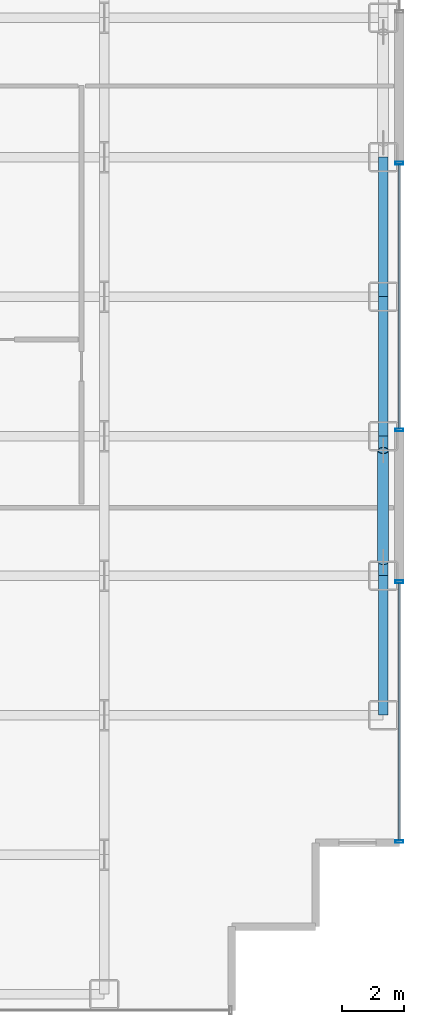
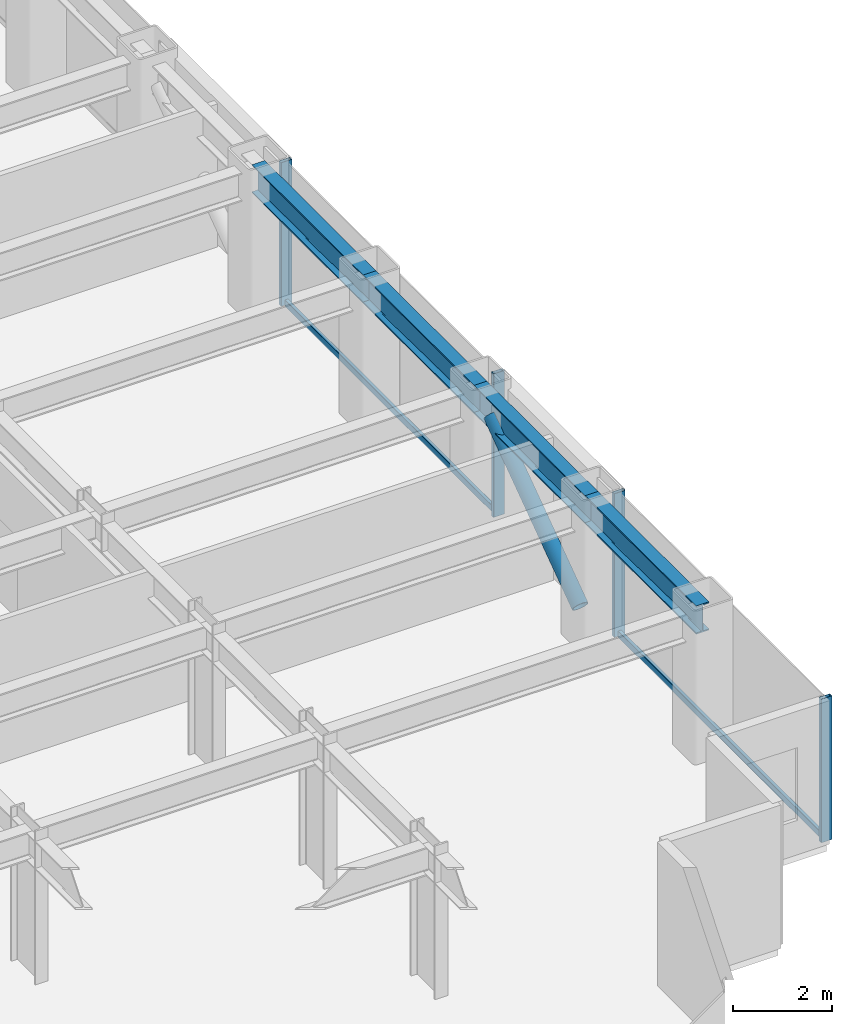
# One storey, part 18 of 29: 7 members, 4 beams, 2 elements without a shape of their own.
"""IFC4 building model written with IfcOpenShell, lengths in metres."""

from ifc_helpers import new_model, si_unit, direction, frame, origin, origin_2d, place, context, subcontext, project, spatial, hollow_rectangle, hollow_circle, i_section, extrude, source, transform, mapped, material, layer, layer_set, material_profile, profile_set, type_object, element, aggregate, save


model = new_model("IFC4")

# Units and contexts
model_context = context("Model", 3, precision=1e-05, world=origin(), true_north=direction((0.0, 1.0)))
body_context = subcontext(model_context, "Body", "Model", "MODEL_VIEW")
ifc_project = project(units=[si_unit("LENGTHUNIT", "METRE"), si_unit("AREAUNIT", "SQUARE_METRE"), si_unit("VOLUMEUNIT", "CUBIC_METRE"), si_unit("PLANEANGLEUNIT", "RADIAN"), si_unit("MASSUNIT", "GRAM", prefix="KILO")], contexts=[model_context])

# Site, building, storey
site_placement = place(None, origin())
site = spatial("IfcSite", under=ifc_project, at=site_placement, CompositionType="ELEMENT")
building_placement = place(site_placement, origin())
building = spatial("IfcBuilding", under=site, at=building_placement, Name="Nefas-Gora Pilgrimage Tower", CompositionType="ELEMENT")
storey_placement = place(building_placement, frame((0.0, 0.0, 90.800048828125)))
storey = spatial("IfcBuildingStorey", under=building, at=storey_placement, Name="L21", CompositionType="ELEMENT", Elevation=90.800048828125)

# Beams
ifc_material_1 = material(Name="Steel S355", Category="steel")
ifc_material_profile_1 = material_profile(ifc_material_1, i_section(OverallWidth=0.300048828125, OverallDepth=0.699951171875, WebThickness=0.01708984375, FlangeThickness=0.031982421875, FilletRadius=0.027099609375, at=origin_2d()), Name="HEB 700")
ifc_profile_set_1 = profile_set([ifc_material_profile_1], Name="Steel S355")
beam_type = type_object("IfcBeamType", Name="BM-SPN-HEB600", PredefinedType="SPANDREL", material=ifc_profile_set_1)
shared_shape_1 = source(origin(), body_context, "Body", "SweptSolid", [
    extrude(i_section(OverallWidth=0.300048828125, OverallDepth=0.699951171875, WebThickness=0.01708984375, FlangeThickness=0.031982421875, FilletRadius=0.027099609375, at=origin_2d()), origin(), (0.0, 0.0, 1.0), 4.5),
])
for number, where, z_axis, x_axis, name in (
    (1, (33.75, -13.5, 3.199951171875), (0.0, 1.0, 0.0), (-1.0, 0.0, 0.0), "L21 SP-01 beam"),
    (2, (33.75, -9.0, 3.199951171875), (0.0, 1.0, 0.0), (-1.0, 0.0, 0.0), "L21 SP-01 beam"),
    (3, (33.75, -4.5, 3.199951171875), (0.0, 1.0, 0.0), (-1.0, 0.0, 0.0), "L21 SP-01 beam"),
    (4, (33.75, 0.0, 3.199951171875), (0.0, 1.0, 0.0), (-1.0, 0.0, 0.0), "L21 SP-01 beam"),
):
    element("IfcBeam", number, at=place(storey_placement, frame(where, z_axis=z_axis, x_axis=x_axis)), inside=storey, type_object=beam_type, Name=name, PredefinedType="SPANDREL", context=body_context, shape_type="MappedRepresentation", body=[
        mapped(shared_shape_1, transform((0.0, 0.0, 0.0), x_axis=(1.0, 0.0, 0.0), y_axis=(0.0, 1.0, 0.0), z_axis=(0.0, 0.0, 1.0), scale=1.0)),
    ])

# Member
ifc_material_2 = material(Name="Steel S460", Category="steel")
ifc_material_profile_2 = material_profile(ifc_material_2, hollow_circle(Radius=0.177734375, WallThickness=0.02001953125, at=origin_2d()), Name="CHS 355.6x20")
ifc_profile_set_2 = profile_set([ifc_material_profile_2], Name="Steel S460")
member_type_1 = type_object("IfcMemberType", Name="MEM-TUBE-356", PredefinedType="BRACE", material=ifc_profile_set_2)
shared_shape_2 = source(origin(), body_context, "Body", "SweptSolid", [
    extrude(hollow_circle(Radius=0.177734375, WallThickness=0.02001953125, at=origin_2d()), origin(), (0.0, 0.0, 1.0), 4.39501953125),
])
member_1_placement = place(storey_placement, frame((33.75, -8.537109375, 0.481201171875), z_axis=(0.0, 0.813264026864, 0.581894855287), x_axis=(-1.0, 0.0, 0.0)))
element("IfcMember", 5, at=member_1_placement, inside=storey, type_object=member_type_1, Name="L21 Perimeter Tube Diagonal Brace E1", PredefinedType="BRACE", context=body_context, shape_type="MappedRepresentation", body=[
    mapped(shared_shape_2, transform((0.0, 0.0, 0.0), x_axis=(1.0, 0.0, 0.0), y_axis=(0.0, 1.0, 0.0), z_axis=(0.0, 0.0, 1.0), scale=1.0)),
])

# Curtain wall, members
ifc_material_3 = material(Name="Dark ceramic-fritted solar-control aluminium-glass curtain wall", Category="aluminium")
ifc_layer = layer(ifc_material_3, 0.219970703125)
ifc_layer_set = layer_set([ifc_layer], Name="Dark ceramic-fritted solar-control aluminium-glass curtain wall")
curtain_wall_type = type_object("IfcCurtainWallType", Name="CW-SYS-2", PredefinedType="NOTDEFINED", material=ifc_layer_set)
curtain_wall_1_placement = place(storey_placement, origin())
curtain_wall_1 = element("IfcCurtainWall", 6, at=curtain_wall_1_placement, inside=storey, type_object=curtain_wall_type, Name="L21 Unitised Curtain Wall CW2", PredefinedType="NOTDEFINED")
ifc_material_4 = material(Name="Anodised architectural aluminium", Category="aluminium")
ifc_material_profile_3 = material_profile(ifc_material_4, hollow_rectangle(XDim=0.090087890625, YDim=0.260009765625, WallThickness=0.006103515625, InnerFilletRadius=0.006103515625, OuterFilletRadius=0.011962890625, at=origin_2d()), Name="ALU MULLION 90x260")
ifc_profile_set_3 = profile_set([ifc_material_profile_3], Name="Anodised architectural aluminium")
member_type_2 = type_object("IfcMemberType", Name="CWM-MUL-2", PredefinedType="MULLION", material=ifc_profile_set_3)
shared_shape_3 = source(origin(), body_context, "Body", "SweptSolid", [
    extrude(hollow_rectangle(XDim=0.090087890625, YDim=0.260009765625, WallThickness=0.006103515625, InnerFilletRadius=0.006103515625, OuterFilletRadius=0.011962890625, at=origin_2d()), origin(), (0.0, 0.0, 1.0), 3.550048828125),
])
member_2_placement = place(storey_placement, frame((34.27001953125, -17.574951171875, 0.0), z_axis=(0.0, 0.0, 1.0), x_axis=(0.0, 1.0, 0.0)))
member_2 = element("IfcMember", 7, at=member_2_placement, type_object=member_type_2, Name="CW2 Mullion 1", PredefinedType="MULLION", context=body_context, shape_type="MappedRepresentation", body=[
    mapped(shared_shape_3, transform((0.0, 0.0, 0.0), x_axis=(1.0, 0.0, 0.0), y_axis=(0.0, 1.0, 0.0), z_axis=(0.0, 0.0, 1.0), scale=1.0)),
])
member_3_placement = place(storey_placement, frame((34.27001953125, -9.195068359375, 0.0), z_axis=(0.0, 0.0, 1.0), x_axis=(0.0, 1.0, 0.0)))
member_3 = element("IfcMember", 8, at=member_3_placement, type_object=member_type_2, Name="CW2 Mullion 2", PredefinedType="MULLION", context=body_context, shape_type="MappedRepresentation", body=[
    mapped(shared_shape_3, transform((0.0, 0.0, 0.0), x_axis=(1.0, 0.0, 0.0), y_axis=(0.0, 1.0, 0.0), z_axis=(0.0, 0.0, 1.0), scale=1.0)),
])

curtain_wall_2_placement = place(storey_placement, origin())
curtain_wall_2 = element("IfcCurtainWall", 9, at=curtain_wall_2_placement, inside=storey, type_object=curtain_wall_type, Name="L21 Unitised Curtain Wall CW2", PredefinedType="NOTDEFINED")
member_4_placement = place(storey_placement, frame((34.27001953125, -4.304931640625, 0.0), z_axis=(0.0, 0.0, 1.0), x_axis=(0.0, 1.0, 0.0)))
member_4 = element("IfcMember", 10, at=member_4_placement, type_object=member_type_2, Name="CW2 Mullion 1", PredefinedType="MULLION", context=body_context, shape_type="MappedRepresentation", body=[
    mapped(shared_shape_3, transform((0.0, 0.0, 0.0), x_axis=(1.0, 0.0, 0.0), y_axis=(0.0, 1.0, 0.0), z_axis=(0.0, 0.0, 1.0), scale=1.0)),
])
member_5_placement = place(storey_placement, frame((34.27001953125, 4.304931640625, 0.0), z_axis=(0.0, 0.0, 1.0), x_axis=(0.0, 1.0, 0.0)))
member_5 = element("IfcMember", 11, at=member_5_placement, type_object=member_type_2, Name="CW2 Mullion 2", PredefinedType="MULLION", context=body_context, shape_type="MappedRepresentation", body=[
    mapped(shared_shape_3, transform((0.0, 0.0, 0.0), x_axis=(1.0, 0.0, 0.0), y_axis=(0.0, 1.0, 0.0), z_axis=(0.0, 0.0, 1.0), scale=1.0)),
])

# Member
ifc_material_profile_4 = material_profile(ifc_material_4, hollow_rectangle(XDim=0.080078125, YDim=0.159912109375, WallThickness=0.00439453125, InnerFilletRadius=0.00439453125, OuterFilletRadius=0.009033203125, at=origin_2d()), Name="ALU TRANSOM 80x160")
ifc_profile_set_4 = profile_set([ifc_material_profile_4], Name="Anodised architectural aluminium")
member_type_3 = type_object("IfcMemberType", Name="CWM-TRN-2", PredefinedType="USERDEFINED", material=ifc_profile_set_4)
shared_shape_4 = source(origin(), body_context, "Body", "SweptSolid", [
    extrude(hollow_rectangle(XDim=0.080078125, YDim=0.159912109375, WallThickness=0.00439453125, InnerFilletRadius=0.00439453125, OuterFilletRadius=0.009033203125, at=origin_2d()), origin(), (0.0, 0.0, 1.0), 8.2900390625),
])
member_6_placement = place(storey_placement, frame((34.27001953125, -17.530029296875, 0.050048828125), z_axis=(0.0, 1.0, 0.0), x_axis=(-1.0, 0.0, 0.0)))
member_6 = element("IfcMember", 12, at=member_6_placement, type_object=member_type_3, Name="CW2 Spandrel Transom", ObjectType="TRANSOM", PredefinedType="USERDEFINED", context=body_context, shape_type="MappedRepresentation", body=[
    mapped(shared_shape_4, transform((0.0, 0.0, 0.0), x_axis=(1.0, 0.0, 0.0), y_axis=(0.0, 1.0, 0.0), z_axis=(0.0, 0.0, 1.0), scale=1.0)),
])

aggregate(curtain_wall_1, [member_2, member_3, member_6])

shared_shape_5 = source(origin(), body_context, "Body", "SweptSolid", [
    extrude(hollow_rectangle(XDim=0.080078125, YDim=0.159912109375, WallThickness=0.00439453125, InnerFilletRadius=0.00439453125, OuterFilletRadius=0.009033203125, at=origin_2d()), origin(), (0.0, 0.0, 1.0), 8.52001953125),
])
member_7_placement = place(storey_placement, frame((34.27001953125, -4.260009765625, 0.050048828125), z_axis=(0.0, 1.0, 0.0), x_axis=(-1.0, 0.0, 0.0)))
member_7 = element("IfcMember", 13, at=member_7_placement, type_object=member_type_3, Name="CW2 Spandrel Transom", ObjectType="TRANSOM", PredefinedType="USERDEFINED", context=body_context, shape_type="MappedRepresentation", body=[
    mapped(shared_shape_5, transform((0.0, 0.0, 0.0), x_axis=(1.0, 0.0, 0.0), y_axis=(0.0, 1.0, 0.0), z_axis=(0.0, 0.0, 1.0), scale=1.0)),
])

aggregate(curtain_wall_2, [member_4, member_5, member_7])

save(model, "model.ifc")
